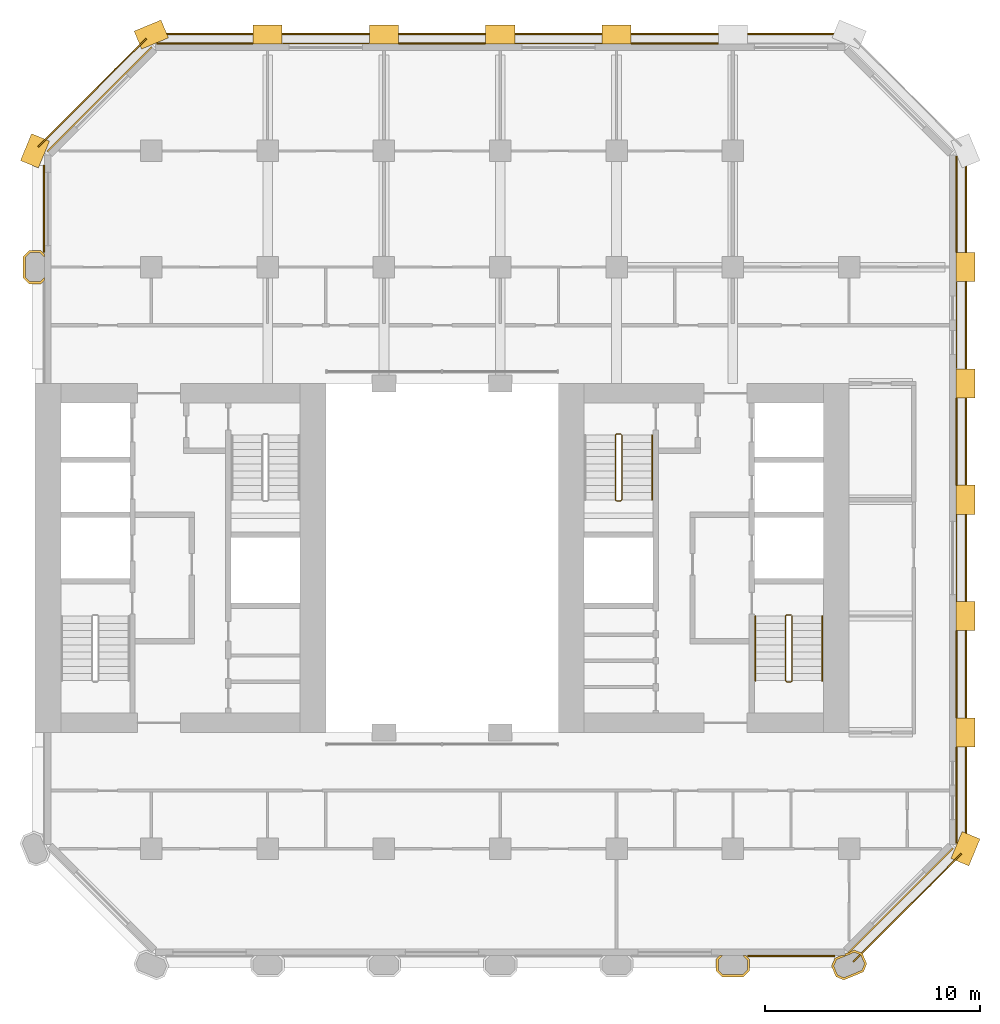
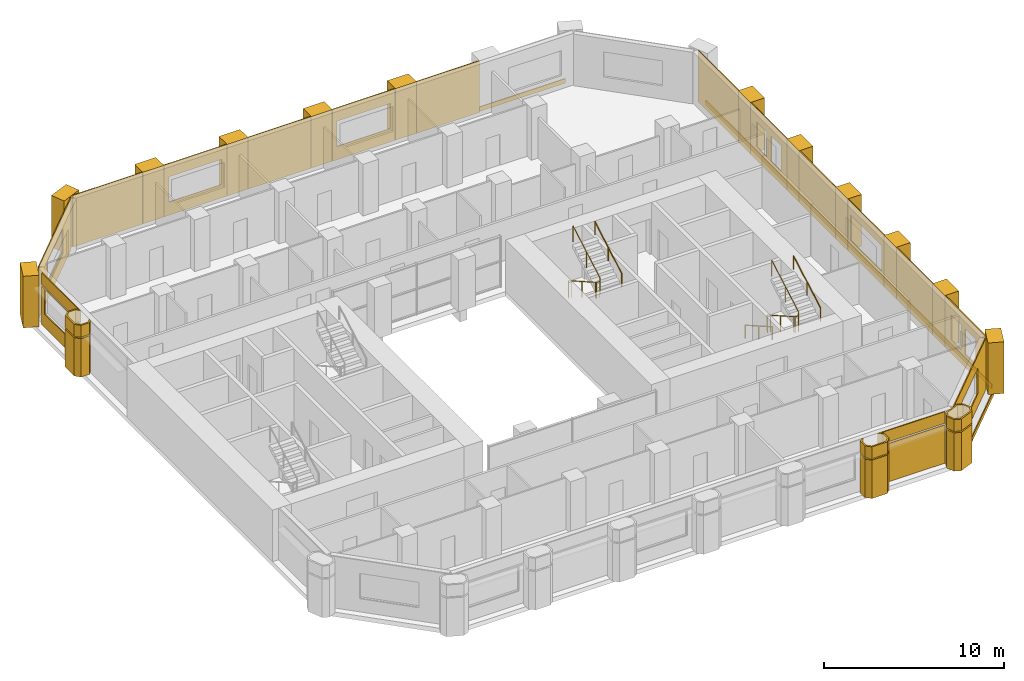
# One storey, part 10 of 11: 39 coverings, 5 railings.
"""IFC4 building model written with IfcOpenShell, lengths in metres."""

from ifc_helpers import new_model, si_unit, direction, frame, frame_2d, origin, origin_2d, place, context, subcontext, project, spatial, polyline, rectangle, circle, outline, extrude, material, layer, layer_set, type_object, element, save


model = new_model("IFC4")

# Units and contexts
model_context = context("Model", 3, precision=1e-05, world=origin(), true_north=direction((0.0, 1.0)))
body_context = subcontext(model_context, "Body", "Model", "MODEL_VIEW")
ifc_project = project(units=[si_unit("LENGTHUNIT", "METRE"), si_unit("AREAUNIT", "SQUARE_METRE"), si_unit("VOLUMEUNIT", "CUBIC_METRE"), si_unit("PLANEANGLEUNIT", "RADIAN"), si_unit("MASSUNIT", "GRAM", prefix="KILO")], contexts=[model_context])

# Site, building, storey
site_placement = place(None, origin())
site = spatial("IfcSite", under=ifc_project, at=site_placement, CompositionType="ELEMENT")
building_placement = place(site_placement, origin())
building = spatial("IfcBuilding", under=site, at=building_placement, Name="Tabaq Tower and Sports Hall", CompositionType="ELEMENT")
storey_placement = place(building_placement, frame((0.0, 0.0, 80.199951171875)))
storey = spatial("IfcBuildingStorey", under=building, at=storey_placement, Name="L18", CompositionType="ELEMENT", Elevation=80.199951171875)

# Coverings
ifc_material_1 = material(Name="Precast concrete C60/75", Category="concrete")
ifc_layer_1 = layer(ifc_material_1, 0.10009765625)
ifc_layer_set_1 = layer_set([ifc_layer_1], Name="Column cladding 100")
covering_type_1 = type_object("IfcCoveringType", Name="Column cladding 100", PredefinedType="CLADDING", material=ifc_layer_set_1)
covering_1_placement = place(storey_placement, origin())
element("IfcCovering", 1, at=covering_1_placement, inside=storey, type_object=covering_type_1, Name="Column cladding L18 PC-2H-O2", PredefinedType="CLADDING", context=body_context, shape_type="SweptSolid", body=[
    extrude(outline(polyline([(5.1337890625, 37.025390625), (4.850341796875, 37.30859375), (4.850341796875, 38.291259765625), (5.1337890625, 38.57470703125), (5.666259765625, 38.57470703125), (5.849609375, 38.391357421875), (5.849609375, 38.250732421875), (5.625244140625, 38.475341796875), (5.1748046875, 38.475341796875), (4.94970703125, 38.250244140625), (4.94970703125, 37.349853515625), (5.1748046875, 37.124755859375), (5.625244140625, 37.124755859375), (5.849609375, 37.349365234375), (5.849609375, 37.208740234375), (5.666259765625, 37.025390625), (5.1337890625, 37.025390625)])), origin(), (0.0, 0.0, 1.0), 2.60009765625),
])
covering_2_placement = place(storey_placement, frame((0.0, 0.0, 2.699951171875)))
element("IfcCovering", 2, at=covering_2_placement, inside=storey, type_object=covering_type_1, Name="Column cladding L18 PC-2H-O2 2", PredefinedType="CLADDING", context=body_context, shape_type="SweptSolid", body=[
    extrude(outline(polyline([(5.1337890625, 37.025390625), (4.850341796875, 37.30859375), (4.850341796875, 38.291259765625), (5.1337890625, 38.57470703125), (5.666259765625, 38.57470703125), (5.849609375, 38.391357421875), (5.849609375, 38.250732421875), (5.625244140625, 38.475341796875), (5.1748046875, 38.475341796875), (4.94970703125, 38.250244140625), (4.94970703125, 37.349853515625), (5.1748046875, 37.124755859375), (5.625244140625, 37.124755859375), (5.849609375, 37.349365234375), (5.849609375, 37.208740234375), (5.666259765625, 37.025390625), (5.1337890625, 37.025390625)])), origin(), (0.0, 0.0, 1.0), 0.800048828125),
])
covering_3_placement = place(storey_placement, origin())
element("IfcCovering", 3, at=covering_3_placement, inside=storey, type_object=covering_type_1, Name="Column cladding L18 PC-8B-O2", PredefinedType="CLADDING", context=body_context, shape_type="SweptSolid", body=[
    extrude(outline(polyline([(37.025390625, 5.666259765625), (37.208740234375, 5.849609375), (37.349365234375, 5.849609375), (37.124755859375, 5.625244140625), (37.124755859375, 5.1748046875), (37.349853515625, 4.94970703125), (38.250244140625, 4.94970703125), (38.475341796875, 5.1748046875), (38.475341796875, 5.625244140625), (38.250732421875, 5.849609375), (38.391357421875, 5.849609375), (38.57470703125, 5.666259765625), (38.57470703125, 5.1337890625), (38.291259765625, 4.850341796875), (37.30859375, 4.850341796875), (37.025390625, 5.1337890625), (37.025390625, 5.666259765625)])), origin(), (0.0, 0.0, 1.0), 2.60009765625),
])
covering_4_placement = place(storey_placement, frame((0.0, 0.0, 2.699951171875)))
element("IfcCovering", 4, at=covering_4_placement, inside=storey, type_object=covering_type_1, Name="Column cladding L18 PC-8B-O2 2", PredefinedType="CLADDING", context=body_context, shape_type="SweptSolid", body=[
    extrude(outline(polyline([(37.025390625, 5.666259765625), (37.208740234375, 5.849609375), (37.349365234375, 5.849609375), (37.124755859375, 5.625244140625), (37.124755859375, 5.1748046875), (37.349853515625, 4.94970703125), (38.250244140625, 4.94970703125), (38.475341796875, 5.1748046875), (38.475341796875, 5.625244140625), (38.250732421875, 5.849609375), (38.391357421875, 5.849609375), (38.57470703125, 5.666259765625), (38.57470703125, 5.1337890625), (38.291259765625, 4.850341796875), (37.30859375, 4.850341796875), (37.025390625, 5.1337890625), (37.025390625, 5.666259765625)])), origin(), (0.0, 0.0, 1.0), 0.800048828125),
])
covering_5_placement = place(storey_placement, origin())
element("IfcCovering", 5, at=covering_5_placement, inside=storey, type_object=covering_type_1, Name="Column cladding L18 PC-9B-O2", PredefinedType="CLADDING", context=body_context, shape_type="SweptSolid", body=[
    extrude(outline(polyline([(42.38232421875, 5.349609375), (42.53564453125, 5.7197265625), (42.84912109375, 5.849609375), (43.013916015625, 5.849609375), (43.013916015625, 5.91796875), (43.16748046875, 5.9814453125), (43.198974609375, 5.9501953125), (43.27490234375, 6.026123046875), (43.443603515625, 6.095947265625), (43.813720703125, 5.9423828125), (44.017578125, 5.450439453125), (43.8642578125, 5.080078125), (42.95654296875, 4.7041015625), (42.586181640625, 4.857421875), (42.38232421875, 5.349609375)]), holes=[polyline([(43.91015625, 5.450439453125), (43.73779296875, 5.866455078125), (43.443603515625, 5.98828125), (42.61181640625, 5.643798828125), (42.489990234375, 5.349609375), (42.662353515625, 4.93359375), (42.95654296875, 4.811767578125), (43.7880859375, 5.15625), (43.91015625, 5.450439453125)])]), origin(), (0.0, 0.0, 1.0), 2.60009765625),
])
covering_6_placement = place(storey_placement, frame((0.0, 0.0, 2.699951171875)))
element("IfcCovering", 6, at=covering_6_placement, inside=storey, type_object=covering_type_1, Name="Column cladding L18 PC-9B-O2 2", PredefinedType="CLADDING", context=body_context, shape_type="SweptSolid", body=[
    extrude(outline(polyline([(42.38232421875, 5.349609375), (42.53564453125, 5.7197265625), (42.84912109375, 5.849609375), (43.013916015625, 5.849609375), (43.013916015625, 5.91796875), (43.16748046875, 5.9814453125), (43.198974609375, 5.9501953125), (43.27490234375, 6.026123046875), (43.443603515625, 6.095947265625), (43.813720703125, 5.9423828125), (44.017578125, 5.450439453125), (43.8642578125, 5.080078125), (42.95654296875, 4.7041015625), (42.586181640625, 4.857421875), (42.38232421875, 5.349609375)]), holes=[polyline([(43.91015625, 5.450439453125), (43.73779296875, 5.866455078125), (43.443603515625, 5.98828125), (42.61181640625, 5.643798828125), (42.489990234375, 5.349609375), (42.662353515625, 4.93359375), (42.95654296875, 4.811767578125), (43.7880859375, 5.15625), (43.91015625, 5.450439453125)])]), origin(), (0.0, 0.0, 1.0), 0.800048828125),
])
ifc_material_2 = material(Name="Precast concrete C60/75", Category="concrete")
ifc_layer_2 = layer(ifc_material_2, 0.06005859375)
ifc_layer_set_2 = layer_set([ifc_layer_2], Name="Edge beam cladding 60")
covering_type_2 = type_object("IfcCoveringType", Name="Edge beam cladding 60", PredefinedType="CLADDING", material=ifc_layer_set_2)
covering_7_placement = place(storey_placement, frame((43.39794921875, 5.5556640625, -0.300048828125), z_axis=(0.0, 0.0, 1.0), x_axis=(0.707124002701, 0.707089559252, 0.0)))
element("IfcCovering", 7, at=covering_7_placement, inside=storey, type_object=covering_type_2, Name="Edge beam cladding L18 1", PredefinedType="CLADDING", context=body_context, shape_type="SweptSolid", body=[
    extrude(rectangle(XDim=7.088134765625, YDim=0.06005859375, at=frame_2d((3.5439453125, 0.0))), origin(), (0.0, 0.0, 1.0), 0.300048828125),
])
for number, where, z_axis, x_axis, name in (
    (8, (48.6298828125, 11.0986328125, -0.300048828125), (0.0, 0.0, 1.0), (0.0, 1.0, 0.0), "Edge beam cladding L18 2"),
    (9, (42.9013671875, 48.6298828125, -0.300048828125), (0.0, 0.0, 1.0), (-1.0, 0.0, 0.0), "Edge beam cladding L18 4"),
):
    element("IfcCovering", number, at=place(storey_placement, frame(where, z_axis=z_axis, x_axis=x_axis)), inside=storey, type_object=covering_type_2, Name=name, PredefinedType="CLADDING", context=body_context, shape_type="SweptSolid", body=[
        extrude(rectangle(XDim=31.802734375, YDim=0.06005859375, at=frame_2d((15.9013671875, 0.0))), origin(), (0.0, 0.0, 1.0), 0.300048828125),
    ])
covering_8_placement = place(storey_placement, frame((10.567626953125, 48.41015625, -0.300048828125), z_axis=(0.0, 0.0, 1.0), x_axis=(-0.707089559252, -0.707124002701, 0.0)))
element("IfcCovering", 10, at=covering_8_placement, inside=storey, type_object=covering_type_2, Name="Edge beam cladding L18 5", PredefinedType="CLADDING", context=body_context, shape_type="SweptSolid", body=[
    extrude(rectangle(XDim=7.088134765625, YDim=0.06005859375, at=frame_2d((3.5439453125, 0.0))), origin(), (0.0, 0.0, 1.0), 0.300048828125),
])
ifc_material_3 = material(Name="White precast concrete C60/75", Category="concrete")
covering_type_3 = type_object("IfcCoveringType", Name="Pier cladding hung 1350x900", PredefinedType="CLADDING", material=ifc_material_3)
for number, where, z_axis, x_axis, name in (
    (11, (5.658203125, 43.82373046875, 0.0), (0.0, 0.0, 1.0), (-0.382649923473, -0.923893411637, 0.0), "Hung pier cladding 1/8"),
    (12, (11.423583984375, 48.8583984375, 0.0), (0.0, 0.0, 1.0), (-0.923893411637, -0.382649923473, 0.0), "Hung pier cladding 2/9"),
    (13, (16.875, 48.60009765625, 0.0), (0.0, 0.0, 1.0), (-1.0, 0.0, 0.0), "Hung pier cladding 3/9"),
):
    element("IfcCovering", number, at=place(storey_placement, frame(where, z_axis=z_axis, x_axis=x_axis)), inside=storey, type_object=covering_type_3, Name=name, PredefinedType="CLADDING", context=body_context, shape_type="SweptSolid", body=[
        extrude(rectangle(XDim=1.35009765625, YDim=0.89990234375, at=frame_2d((0.675048828125, 0.0))), origin(), (0.0, 0.0, 1.0), 3.5),
    ])
covering_9_placement = place(storey_placement, frame((22.27490234375, 48.60009765625, 0.0), z_axis=(0.0, 0.0, 1.0), x_axis=(-1.0, 0.0, 0.0)))
element("IfcCovering", 14, at=covering_9_placement, inside=storey, type_object=covering_type_3, Name="Hung pier cladding 4/9", PredefinedType="CLADDING", context=body_context, shape_type="SweptSolid", body=[
    extrude(rectangle(XDim=1.349853515625, YDim=0.89990234375, at=frame_2d((0.6748046875, 0.0))), origin(), (0.0, 0.0, 1.0), 3.5),
])
covering_10_placement = place(storey_placement, frame((27.675048828125, 48.60009765625, 0.0), z_axis=(0.0, 0.0, 1.0), x_axis=(-1.0, 0.0, 0.0)))
element("IfcCovering", 15, at=covering_10_placement, inside=storey, type_object=covering_type_3, Name="Hung pier cladding 5/9", PredefinedType="CLADDING", context=body_context, shape_type="SweptSolid", body=[
    extrude(rectangle(XDim=1.35009765625, YDim=0.89990234375, at=frame_2d((0.675048828125, 0.0))), origin(), (0.0, 0.0, 1.0), 3.5),
])
covering_11_placement = place(storey_placement, frame((33.074951171875, 48.60009765625, 0.0), z_axis=(0.0, 0.0, 1.0), x_axis=(-1.0, 0.0, 0.0)))
element("IfcCovering", 16, at=covering_11_placement, inside=storey, type_object=covering_type_3, Name="Hung pier cladding 6/9", PredefinedType="CLADDING", context=body_context, shape_type="SweptSolid", body=[
    extrude(rectangle(XDim=1.349853515625, YDim=0.89990234375, at=frame_2d((0.6748046875, 0.0))), origin(), (0.0, 0.0, 1.0), 3.5),
])
for number, where, z_axis, x_axis, name in (
    (17, (48.341796875, 10.17626953125, 0.0), (0.0, 0.0, 1.0), (0.382649923473, 0.923893411637, 0.0), "Hung pier cladding 9/2"),
    (18, (48.60009765625, 15.52490234375, 0.0), (0.0, 0.0, 1.0), (0.0, 1.0, 0.0), "Hung pier cladding 9/3"),
):
    element("IfcCovering", number, at=place(storey_placement, frame(where, z_axis=z_axis, x_axis=x_axis)), inside=storey, type_object=covering_type_3, Name=name, PredefinedType="CLADDING", context=body_context, shape_type="SweptSolid", body=[
        extrude(rectangle(XDim=1.35009765625, YDim=0.89990234375, at=frame_2d((0.675048828125, 0.0))), origin(), (0.0, 0.0, 1.0), 3.5),
    ])
covering_12_placement = place(storey_placement, frame((48.60009765625, 20.925048828125, 0.0), z_axis=(0.0, 0.0, 1.0), x_axis=(0.0, 1.0, 0.0)))
element("IfcCovering", 19, at=covering_12_placement, inside=storey, type_object=covering_type_3, Name="Hung pier cladding 9/4", PredefinedType="CLADDING", context=body_context, shape_type="SweptSolid", body=[
    extrude(rectangle(XDim=1.349853515625, YDim=0.89990234375, at=frame_2d((0.6748046875, 0.0))), origin(), (0.0, 0.0, 1.0), 3.5),
])
covering_13_placement = place(storey_placement, frame((48.60009765625, 26.324951171875, 0.0), z_axis=(0.0, 0.0, 1.0), x_axis=(0.0, 1.0, 0.0)))
element("IfcCovering", 20, at=covering_13_placement, inside=storey, type_object=covering_type_3, Name="Hung pier cladding 9/5", PredefinedType="CLADDING", context=body_context, shape_type="SweptSolid", body=[
    extrude(rectangle(XDim=1.35009765625, YDim=0.89990234375, at=frame_2d((0.675048828125, 0.0))), origin(), (0.0, 0.0, 1.0), 3.5),
])
covering_14_placement = place(storey_placement, frame((48.60009765625, 31.72509765625, 0.0), z_axis=(0.0, 0.0, 1.0), x_axis=(0.0, 1.0, 0.0)))
element("IfcCovering", 21, at=covering_14_placement, inside=storey, type_object=covering_type_3, Name="Hung pier cladding 9/6", PredefinedType="CLADDING", context=body_context, shape_type="SweptSolid", body=[
    extrude(rectangle(XDim=1.349853515625, YDim=0.89990234375, at=frame_2d((0.6748046875, 0.0))), origin(), (0.0, 0.0, 1.0), 3.5),
])
covering_15_placement = place(storey_placement, frame((48.60009765625, 37.125, 0.0), z_axis=(0.0, 0.0, 1.0), x_axis=(0.0, 1.0, 0.0)))
element("IfcCovering", 22, at=covering_15_placement, inside=storey, type_object=covering_type_3, Name="Hung pier cladding 9/7", PredefinedType="CLADDING", context=body_context, shape_type="SweptSolid", body=[
    extrude(rectangle(XDim=1.35009765625, YDim=0.89990234375, at=frame_2d((0.675048828125, 0.0))), origin(), (0.0, 0.0, 1.0), 3.5),
])

# Railings
ifc_material_4 = material(Name="Stainless steel", Category="steel")
railing_type_1 = type_object("IfcRailingType", Name="Stair guard", PredefinedType="GUARDRAIL", material=ifc_material_4)
railing_1_placement = place(storey_placement, frame((40.5, 21.64990234375, 0.0)))
element("IfcRailing", 23, at=railing_1_placement, inside=storey, type_object=railing_type_1, Name="L18 ST3 stair guard 1", PredefinedType="GUARDRAIL", context=body_context, shape_type="SweptSolid", body=[
    extrude(circle(Radius=0.02392578125, at=origin_2d()), frame((0.0, 0.0, 1.076171875), z_axis=(-1.0, 0.0, 0.0), x_axis=(0.0, -1.0, 0.0)), (0.0, 0.0, 1.0), 0.199951171875),
    extrude(circle(Radius=0.02392578125, at=origin_2d()), frame((-0.199951171875, 0.0, 1.076171875), z_axis=(-0.246983470365, -0.245778672949, 0.937332389972), x_axis=(0.705375805398, -0.708833529934, 0.0)), (0.0, 0.0, 1.0), 0.20263671875),
    extrude(circle(Radius=0.02392578125, at=origin_2d()), frame((-0.25, -0.0498046875, 1.26611328125), z_axis=(0.0, -0.868751719353, 0.495247867356), x_axis=(1.0, 0.0, 0.0)), (0.0, 0.0, 1.0), 3.453125),
    extrude(circle(Radius=0.02392578125, at=origin_2d()), frame((-0.25, -3.0498046875, 2.97607421875), z_axis=(0.707106781187, -0.707106781187, 0.0), x_axis=(0.707106781187, 0.707106781187, 0.0)), (0.0, 0.0, 1.0), 0.07080078125),
    extrude(circle(Radius=0.02392578125, at=origin_2d()), frame((-0.199951171875, -3.099853515625, 2.97607421875), z_axis=(1.0, 0.0, 0.0), x_axis=(0.0, 1.0, 0.0)), (0.0, 0.0, 1.0), 0.199951171875),
    extrude(circle(Radius=0.02392578125, at=origin_2d()), frame((0.0, -3.099853515625, 2.97607421875), z_axis=(0.246910188598, 0.246910188598, 0.937054276727), x_axis=(-0.707106781187, 0.707106781187, 0.0)), (0.0, 0.0, 1.0), 0.20263671875),
    extrude(circle(Radius=0.02392578125, at=origin_2d()), frame((0.050048828125, -3.0498046875, 3.166015625), z_axis=(0.0, 0.868782136927, 0.495194505781), x_axis=(-1.0, 0.0, 0.0)), (0.0, 0.0, 1.0), 3.453125),
    extrude(circle(Radius=0.02099609375, at=origin_2d()), origin(), (0.0, 0.0, 1.0), 1.052001953125),
    extrude(circle(Radius=0.02099609375, at=origin_2d()), frame((-0.199951171875, 0.0, 0.0)), (0.0, 0.0, 1.0), 1.052001953125),
    extrude(circle(Radius=0.02099609375, at=origin_2d()), frame((-0.25, -0.0498046875, 0.18994140625)), (0.0, 0.0, 1.0), 1.052001953125),
    extrude(circle(Radius=0.02099609375, at=origin_2d()), frame((-0.25, -1.5498046875, 1.044921875)), (0.0, 0.0, 1.0), 1.052001953125),
    extrude(circle(Radius=0.02099609375, at=origin_2d()), frame((-0.25, -3.0498046875, 1.900146484375)), (0.0, 0.0, 1.0), 1.052001953125),
    extrude(circle(Radius=0.02099609375, at=origin_2d()), frame((-0.199951171875, -3.099853515625, 1.900146484375)), (0.0, 0.0, 1.0), 1.052001953125),
    extrude(circle(Radius=0.02099609375, at=origin_2d()), frame((0.0, -3.099853515625, 1.900146484375)), (0.0, 0.0, 1.0), 1.052001953125),
    extrude(circle(Radius=0.02099609375, at=origin_2d()), frame((0.050048828125, -3.0498046875, 2.090087890625)), (0.0, 0.0, 1.0), 1.052001953125),
    extrude(circle(Radius=0.02099609375, at=origin_2d()), frame((0.050048828125, -1.5498046875, 2.945068359375)), (0.0, 0.0, 1.0), 1.052001953125),
    extrude(circle(Radius=0.02099609375, at=origin_2d()), frame((0.050048828125, -0.0498046875, 3.800048828125)), (0.0, 0.0, 1.0), 1.052001953125),
])
railing_2_placement = place(storey_placement, frame((32.60009765625, 30.050048828125, 0.0)))
element("IfcRailing", 24, at=railing_2_placement, inside=storey, type_object=railing_type_1, Name="L18 ST4 stair guard 1", PredefinedType="GUARDRAIL", context=body_context, shape_type="SweptSolid", body=[
    extrude(circle(Radius=0.02392578125, at=origin_2d()), frame((0.0, 0.0, 1.076171875), z_axis=(-1.0, 0.0, 0.0), x_axis=(0.0, -1.0, 0.0)), (0.0, 0.0, 1.0), 0.2001953125),
    extrude(circle(Radius=0.02392578125, at=origin_2d()), frame((-0.2001953125, 0.0, 1.076171875), z_axis=(-0.245778672949, -0.246983470365, 0.937332389972), x_axis=(0.708833529934, -0.705375805398, 0.0)), (0.0, 0.0, 1.0), 0.20263671875),
    extrude(circle(Radius=0.02392578125, at=origin_2d()), frame((-0.25, -0.050048828125, 1.26611328125), z_axis=(0.0, -0.868751719353, 0.495247867356), x_axis=(1.0, 0.0, 0.0)), (0.0, 0.0, 1.0), 3.453125),
    extrude(circle(Radius=0.02392578125, at=origin_2d()), frame((-0.25, -3.050048828125, 2.97607421875), z_axis=(0.705375805398, -0.708833529934, 0.0), x_axis=(0.708833529934, 0.705375805398, 0.0)), (0.0, 0.0, 1.0), 0.070556640625),
    extrude(circle(Radius=0.02392578125, at=origin_2d()), frame((-0.2001953125, -3.10009765625, 2.97607421875), z_axis=(1.0, 0.0, 0.0), x_axis=(0.0, 1.0, 0.0)), (0.0, 0.0, 1.0), 0.2001953125),
    extrude(circle(Radius=0.02392578125, at=origin_2d()), frame((0.0, -3.10009765625, 2.97607421875), z_axis=(0.245778672949, 0.246983470365, 0.937332389972), x_axis=(-0.708833529934, 0.705375805398, 0.0)), (0.0, 0.0, 1.0), 0.20263671875),
    extrude(circle(Radius=0.02392578125, at=origin_2d()), frame((0.0498046875, -3.050048828125, 3.166015625), z_axis=(0.0, 0.868782136927, 0.495194505781), x_axis=(-1.0, 0.0, 0.0)), (0.0, 0.0, 1.0), 3.453125),
    extrude(circle(Radius=0.02099609375, at=origin_2d()), origin(), (0.0, 0.0, 1.0), 1.052001953125),
    extrude(circle(Radius=0.02099609375, at=origin_2d()), frame((-0.2001953125, 0.0, 0.0)), (0.0, 0.0, 1.0), 1.052001953125),
    extrude(circle(Radius=0.02099609375, at=origin_2d()), frame((-0.25, -0.050048828125, 0.18994140625)), (0.0, 0.0, 1.0), 1.052001953125),
    extrude(circle(Radius=0.02099609375, at=origin_2d()), frame((-0.25, -1.550048828125, 1.044921875)), (0.0, 0.0, 1.0), 1.052001953125),
    extrude(circle(Radius=0.02099609375, at=origin_2d()), frame((-0.25, -3.050048828125, 1.900146484375)), (0.0, 0.0, 1.0), 1.052001953125),
    extrude(circle(Radius=0.02099609375, at=origin_2d()), frame((-0.2001953125, -3.10009765625, 1.900146484375)), (0.0, 0.0, 1.0), 1.052001953125),
    extrude(circle(Radius=0.02099609375, at=origin_2d()), frame((0.0, -3.10009765625, 1.900146484375)), (0.0, 0.0, 1.0), 1.052001953125),
    extrude(circle(Radius=0.02099609375, at=origin_2d()), frame((0.0498046875, -3.050048828125, 2.090087890625)), (0.0, 0.0, 1.0), 1.052001953125),
    extrude(circle(Radius=0.02099609375, at=origin_2d()), frame((0.0498046875, -1.550048828125, 2.945068359375)), (0.0, 0.0, 1.0), 1.052001953125),
    extrude(circle(Radius=0.02099609375, at=origin_2d()), frame((0.0498046875, -0.050048828125, 3.800048828125)), (0.0, 0.0, 1.0), 1.052001953125),
])
ifc_material_5 = material(Name="Stainless steel", Category="steel")
railing_type_2 = type_object("IfcRailingType", Name="Stair handrail", PredefinedType="HANDRAIL", material=ifc_material_5)
railing_3_placement = place(storey_placement, frame((38.85009765625, 21.60009765625, 0.18994140625)))
element("IfcRailing", 25, at=railing_3_placement, inside=storey, type_object=railing_type_2, Name="L18 ST3 stair handrail 1", PredefinedType="HANDRAIL", context=body_context, shape_type="SweptSolid", body=[
    extrude(circle(Radius=0.02392578125, at=origin_2d()), frame((0.0, 0.0, 0.8759765625), z_axis=(0.0, -0.868751719353, 0.495247867356), x_axis=(1.0, 0.0, 0.0)), (0.0, 0.0, 1.0), 3.453125),
    extrude(circle(Radius=0.02099609375, at=origin_2d()), origin(), (0.0, 0.0, 1.0), 0.851806640625),
    extrude(circle(Radius=0.02099609375, at=origin_2d()), frame((0.0, -1.5, 0.85498046875)), (0.0, 0.0, 1.0), 0.851806640625),
    extrude(circle(Radius=0.02099609375, at=origin_2d()), frame((0.0, -3.0, 1.710205078125)), (0.0, 0.0, 1.0), 0.851806640625),
])
for number, where, name in (
    (26, (41.949951171875, 18.60009765625, 2.090087890625), "L18 ST3 stair handrail 2"),
    (27, (34.050048828125, 27.0, 2.090087890625), "L18 ST4 stair handrail 2"),
):
    element("IfcRailing", number, at=place(storey_placement, frame(where)), inside=storey, type_object=railing_type_2, Name=name, PredefinedType="HANDRAIL", context=body_context, shape_type="SweptSolid", body=[
        extrude(circle(Radius=0.02392578125, at=origin_2d()), frame((0.0, 0.0, 0.8759765625), z_axis=(0.0, 0.868782136927, 0.495194505781), x_axis=(-1.0, 0.0, 0.0)), (0.0, 0.0, 1.0), 3.453125),
        extrude(circle(Radius=0.02099609375, at=origin_2d()), origin(), (0.0, 0.0, 1.0), 0.851806640625),
        extrude(circle(Radius=0.02099609375, at=origin_2d()), frame((0.0, 1.5, 0.85498046875)), (0.0, 0.0, 1.0), 0.851806640625),
        extrude(circle(Radius=0.02099609375, at=origin_2d()), frame((0.0, 3.0, 1.7099609375)), (0.0, 0.0, 1.0), 0.851806640625),
    ])

# Coverings
ifc_material_6 = material(Name="Precast concrete C60/75", Category="concrete")
ifc_layer_3 = layer(ifc_material_6, 0.06005859375)
ifc_layer_set_3 = layer_set([ifc_layer_3], Name="White precast cladding panel 60 C60/75")
covering_type_4 = type_object("IfcCoveringType", Name="White precast cladding panel 60 C60/75", PredefinedType="CLADDING", material=ifc_layer_set_3)
covering_16_placement = place(storey_placement, frame((38.485107421875, 5.820068359375, 0.0), z_axis=(0.0, 0.0, 1.0), x_axis=(1.0, 0.0, 0.0)))
element("IfcCovering", 28, at=covering_16_placement, inside=storey, type_object=covering_type_4, Name="White precast cladding panel L18 wall00 11", PredefinedType="CLADDING", context=body_context, shape_type="SweptSolid", body=[
    extrude(rectangle(XDim=4.0498046875, YDim=0.06005859375, at=frame_2d((2.02490234375, 0.0))), origin(), (0.0, 0.0, 1.0), 2.590087890625),
])
covering_17_placement = place(storey_placement, frame((38.485107421875, 5.820068359375, 2.7099609375), z_axis=(0.0, 0.0, 1.0), x_axis=(1.0, 0.0, 0.0)))
element("IfcCovering", 29, at=covering_17_placement, inside=storey, type_object=covering_type_4, Name="White precast cladding panel L18 wall00 12", PredefinedType="CLADDING", context=body_context, shape_type="SweptSolid", body=[
    extrude(rectangle(XDim=4.0498046875, YDim=0.06005859375, at=frame_2d((2.02490234375, 0.0))), origin(), (0.0, 0.0, 1.0), 0.7900390625),
])
covering_18_placement = place(storey_placement, frame((43.177734375, 5.9716796875, 0.0), z_axis=(0.0, 0.0, 1.0), x_axis=(0.707106781187, 0.707106781187, 0.0)))
element("IfcCovering", 30, at=covering_18_placement, inside=storey, type_object=covering_type_4, Name="White precast cladding panel L18 wall01", PredefinedType="CLADDING", context=body_context, shape_type="SweptSolid", body=[
    extrude(outline(polyline([(0.0, 0.0), (6.85986328125, 0.0), (6.85986328125, 3.5), (0.0, 3.5), (0.0, 0.0)]), holes=[polyline([(1.7197265625, 0.89013671875), (1.7197265625, 2.610107421875), (5.139892578125, 2.610107421875), (5.139892578125, 0.89013671875), (1.7197265625, 0.89013671875)])]), frame((0.0, 0.030029296875, 0.0), z_axis=(0.0, -1.0, 0.0), x_axis=(1.0, 0.0, 0.0)), (0.0, 0.0, 1.0), 0.06005859375),
])
covering_19_placement = place(storey_placement, frame((48.179931640625, 11.043212890625, 0.0), z_axis=(0.0, 0.0, 1.0), x_axis=(0.0, 1.0, 0.0)))
element("IfcCovering", 31, at=covering_19_placement, inside=storey, type_object=covering_type_4, Name="White precast cladding panel L18 wall02", PredefinedType="CLADDING", context=body_context, shape_type="SweptSolid", body=[
    extrude(outline(polyline([(0.0, 0.0), (4.4716796875, 0.0), (4.4716796875, 3.5), (0.0, 3.5), (0.0, 0.0)]), holes=[polyline([(1.096923828125, 2.610107421875), (2.216796875, 2.610107421875), (2.216796875, 0.89013671875), (1.096923828125, 0.89013671875), (1.096923828125, 2.610107421875)]), polyline([(2.69677734375, 2.610107421875), (3.81689453125, 2.610107421875), (3.81689453125, 0.89013671875), (2.69677734375, 0.89013671875), (2.69677734375, 2.610107421875)])]), frame((0.0, 0.030029296875, 0.0), z_axis=(0.0, -1.0, 0.0), x_axis=(1.0, 0.0, 0.0)), (0.0, 0.0, 1.0), 0.06005859375),
])
covering_20_placement = place(storey_placement, frame((48.179931640625, 16.885009765625, 0.0), z_axis=(0.0, 0.0, 1.0), x_axis=(0.0, 1.0, 0.0)))
element("IfcCovering", 32, at=covering_20_placement, inside=storey, type_object=covering_type_4, Name="White precast cladding panel L18 wall02 2", PredefinedType="CLADDING", context=body_context, shape_type="SweptSolid", body=[
    extrude(rectangle(XDim=4.030029296875, YDim=0.06005859375, at=frame_2d((2.01513671875, 0.0))), origin(), (0.0, 0.0, 1.0), 3.5),
])
covering_21_placement = place(storey_placement, frame((48.179931640625, 22.284912109375, 0.0), z_axis=(0.0, 0.0, 1.0), x_axis=(0.0, 1.0, 0.0)))
element("IfcCovering", 33, at=covering_21_placement, inside=storey, type_object=covering_type_4, Name="White precast cladding panel L18 wall02 3", PredefinedType="CLADDING", context=body_context, shape_type="SweptSolid", body=[
    extrude(outline(polyline([(0.0, 0.0), (4.030029296875, 0.0), (4.030029296875, 3.5), (0.0, 3.5), (0.0, 0.0)]), holes=[polyline([(0.304931640625, 0.89013671875), (0.304931640625, 2.610107421875), (3.72509765625, 2.610107421875), (3.72509765625, 0.89013671875), (0.304931640625, 0.89013671875)])]), frame((0.0, 0.030029296875, 0.0), z_axis=(0.0, -1.0, 0.0), x_axis=(1.0, 0.0, 0.0)), (0.0, 0.0, 1.0), 0.06005859375),
])
covering_22_placement = place(storey_placement, frame((48.179931640625, 27.68505859375, 0.0), z_axis=(0.0, 0.0, 1.0), x_axis=(0.0, 1.0, 0.0)))
element("IfcCovering", 34, at=covering_22_placement, inside=storey, type_object=covering_type_4, Name="White precast cladding panel L18 wall02 4", PredefinedType="CLADDING", context=body_context, shape_type="SweptSolid", body=[
    extrude(rectangle(XDim=4.030029296875, YDim=0.06005859375, at=frame_2d((2.01513671875, 0.0))), origin(), (0.0, 0.0, 1.0), 3.5),
])
covering_23_placement = place(storey_placement, frame((48.179931640625, 33.0849609375, 0.0), z_axis=(0.0, 0.0, 1.0), x_axis=(0.0, 1.0, 0.0)))
element("IfcCovering", 35, at=covering_23_placement, inside=storey, type_object=covering_type_4, Name="White precast cladding panel L18 wall02 5", PredefinedType="CLADDING", context=body_context, shape_type="SweptSolid", body=[
    extrude(outline(polyline([(0.0, 0.0), (4.030029296875, 0.0), (4.030029296875, 3.5), (0.0, 3.5), (0.0, 0.0)]), holes=[polyline([(0.655029296875, 2.610107421875), (1.77490234375, 2.610107421875), (1.77490234375, 0.89013671875), (0.655029296875, 0.89013671875), (0.655029296875, 2.610107421875)]), polyline([(2.2548828125, 2.610107421875), (3.375, 2.610107421875), (3.375, 0.89013671875), (2.2548828125, 0.89013671875), (2.2548828125, 2.610107421875)])]), frame((0.0, 0.030029296875, 0.0), z_axis=(0.0, -1.0, 0.0), x_axis=(1.0, 0.0, 0.0)), (0.0, 0.0, 1.0), 0.06005859375),
])
covering_24_placement = place(storey_placement, frame((48.179931640625, 38.485107421875, 0.0), z_axis=(0.0, 0.0, 1.0), x_axis=(0.0, 1.0, 0.0)))
element("IfcCovering", 36, at=covering_24_placement, inside=storey, type_object=covering_type_4, Name="White precast cladding panel L18 wall02 6", PredefinedType="CLADDING", context=body_context, shape_type="SweptSolid", body=[
    extrude(rectangle(XDim=4.4716796875, YDim=0.06005859375, at=frame_2d((2.23583984375, 0.0))), origin(), (0.0, 0.0, 1.0), 3.5),
])
covering_25_placement = place(storey_placement, frame((37.114990234375, 48.179931640625, 0.0), z_axis=(0.0, 0.0, 1.0), x_axis=(-1.0, 0.0, 0.0)))
element("IfcCovering", 37, at=covering_25_placement, inside=storey, type_object=covering_type_4, Name="White precast cladding panel L18 wall04 2", PredefinedType="CLADDING", context=body_context, shape_type="SweptSolid", body=[
    extrude(rectangle(XDim=4.030029296875, YDim=0.06005859375, at=frame_2d((2.01513671875, 0.0))), origin(), (0.0, 0.0, 1.0), 3.5),
])
covering_26_placement = place(storey_placement, frame((31.715087890625, 48.179931640625, 0.0), z_axis=(0.0, 0.0, 1.0), x_axis=(-1.0, 0.0, 0.0)))
element("IfcCovering", 38, at=covering_26_placement, inside=storey, type_object=covering_type_4, Name="White precast cladding panel L18 wall04 3", PredefinedType="CLADDING", context=body_context, shape_type="SweptSolid", body=[
    extrude(outline(polyline([(0.0, 0.0), (4.030029296875, 0.0), (4.030029296875, 3.5), (0.0, 3.5), (0.0, 0.0)]), holes=[polyline([(0.304931640625, 0.89013671875), (0.304931640625, 2.610107421875), (3.72509765625, 2.610107421875), (3.72509765625, 0.89013671875), (0.304931640625, 0.89013671875)])]), frame((0.0, 0.030029296875, 0.0), z_axis=(0.0, -1.0, 0.0), x_axis=(1.0, 0.0, 0.0)), (0.0, 0.0, 1.0), 0.06005859375),
])
covering_27_placement = place(storey_placement, frame((26.31494140625, 48.179931640625, 0.0), z_axis=(0.0, 0.0, 1.0), x_axis=(-1.0, 0.0, 0.0)))
element("IfcCovering", 39, at=covering_27_placement, inside=storey, type_object=covering_type_4, Name="White precast cladding panel L18 wall04 4", PredefinedType="CLADDING", context=body_context, shape_type="SweptSolid", body=[
    extrude(rectangle(XDim=4.030029296875, YDim=0.06005859375, at=frame_2d((2.01513671875, 0.0))), origin(), (0.0, 0.0, 1.0), 3.5),
])
covering_28_placement = place(storey_placement, frame((20.9150390625, 48.179931640625, 0.0), z_axis=(0.0, 0.0, 1.0), x_axis=(-1.0, 0.0, 0.0)))
element("IfcCovering", 40, at=covering_28_placement, inside=storey, type_object=covering_type_4, Name="White precast cladding panel L18 wall04 5", PredefinedType="CLADDING", context=body_context, shape_type="SweptSolid", body=[
    extrude(outline(polyline([(0.0, 0.0), (4.030029296875, 0.0), (4.030029296875, 3.5), (0.0, 3.5), (0.0, 0.0)]), holes=[polyline([(0.304931640625, 0.89013671875), (0.304931640625, 2.610107421875), (3.72509765625, 2.610107421875), (3.72509765625, 0.89013671875), (0.304931640625, 0.89013671875)])]), frame((0.0, 0.030029296875, 0.0), z_axis=(0.0, -1.0, 0.0), x_axis=(1.0, 0.0, 0.0)), (0.0, 0.0, 1.0), 0.06005859375),
])
covering_29_placement = place(storey_placement, frame((15.514892578125, 48.179931640625, 0.0), z_axis=(0.0, 0.0, 1.0), x_axis=(-1.0, 0.0, 0.0)))
element("IfcCovering", 41, at=covering_29_placement, inside=storey, type_object=covering_type_4, Name="White precast cladding panel L18 wall04 6", PredefinedType="CLADDING", context=body_context, shape_type="SweptSolid", body=[
    extrude(rectangle(XDim=4.4716796875, YDim=0.06005859375, at=frame_2d((2.23583984375, 0.0))), origin(), (0.0, 0.0, 1.0), 3.5),
])
covering_30_placement = place(storey_placement, frame((10.822265625, 48.0283203125, 0.0), z_axis=(0.0, 0.0, 1.0), x_axis=(-0.707106781187, -0.707106781187, 0.0)))
element("IfcCovering", 42, at=covering_30_placement, inside=storey, type_object=covering_type_4, Name="White precast cladding panel L18 wall05", PredefinedType="CLADDING", context=body_context, shape_type="SweptSolid", body=[
    extrude(outline(polyline([(0.0, 0.0), (6.85986328125, 0.0), (6.85986328125, 3.5), (0.0, 3.5), (0.0, 0.0)]), holes=[polyline([(1.7197265625, 0.89013671875), (1.7197265625, 2.610107421875), (5.139892578125, 2.610107421875), (5.139892578125, 0.89013671875), (1.7197265625, 0.89013671875)])]), frame((0.0, 0.030029296875, 0.0), z_axis=(0.0, -1.0, 0.0), x_axis=(1.0, 0.0, 0.0)), (0.0, 0.0, 1.0), 0.06005859375),
])
covering_31_placement = place(storey_placement, frame((5.820068359375, 42.534912109375, 0.0), z_axis=(0.0, 0.0, 1.0), x_axis=(0.0, -1.0, 0.0)))
element("IfcCovering", 43, at=covering_31_placement, inside=storey, type_object=covering_type_4, Name="White precast cladding panel L18 wall06", PredefinedType="CLADDING", context=body_context, shape_type="SweptSolid", body=[
    extrude(outline(polyline([(0.0, 0.0), (4.0498046875, 0.0), (4.0498046875, 2.590087890625), (0.0, 2.590087890625), (0.0, 0.0)]), holes=[polyline([(3.7451171875, 0.89013671875), (0.324951171875, 0.89013671875), (0.324951171875, 2.56005859375), (3.7451171875, 2.56005859375), (3.7451171875, 0.89013671875)])]), frame((0.0, 0.030029296875, 0.0), z_axis=(0.0, -1.0, 0.0), x_axis=(1.0, 0.0, 0.0)), (0.0, 0.0, 1.0), 0.06005859375),
])
covering_32_placement = place(storey_placement, frame((5.820068359375, 42.534912109375, 2.7099609375), z_axis=(0.0, 0.0, 1.0), x_axis=(0.0, -1.0, 0.0)))
element("IfcCovering", 44, at=covering_32_placement, inside=storey, type_object=covering_type_4, Name="White precast cladding panel L18 wall06 2", PredefinedType="CLADDING", context=body_context, shape_type="SweptSolid", body=[
    extrude(rectangle(XDim=4.0498046875, YDim=0.06005859375, at=frame_2d((2.02490234375, 0.0))), origin(), (0.0, 0.0, 1.0), 0.7900390625),
])

save(model, "model.ifc")
